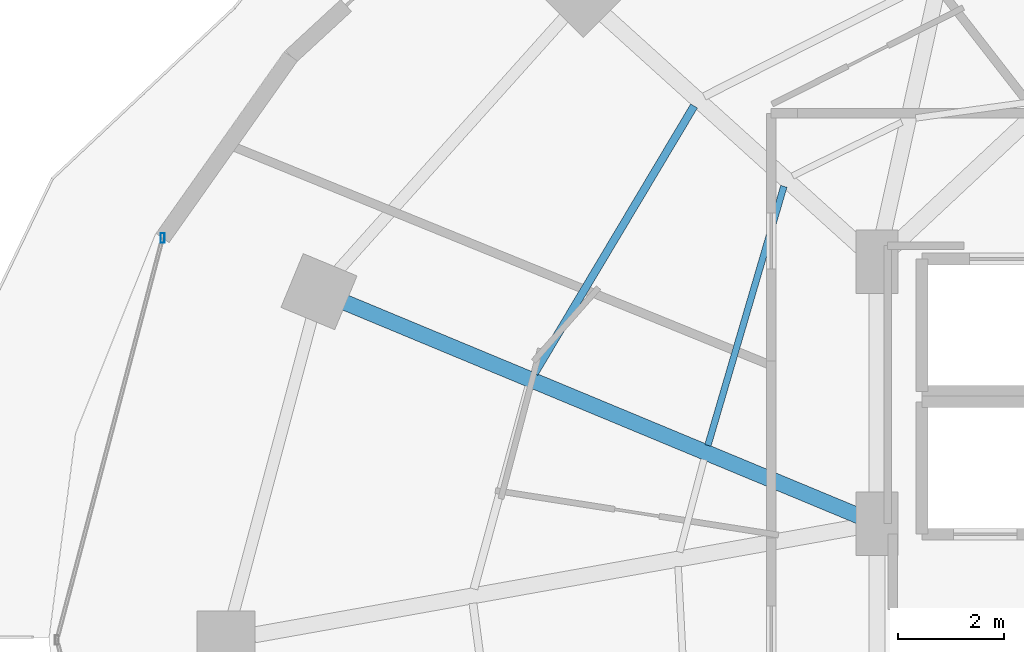
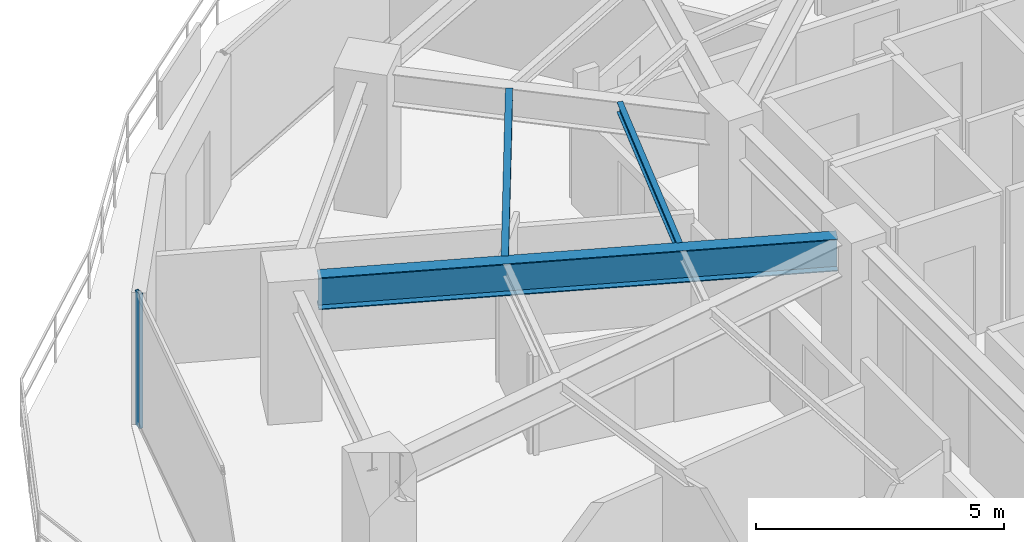
# One storey, part 8 of 30: 3 beams, 1 member, 1 element without a shape of its own.
"""IFC4 building model written with IfcOpenShell, lengths in metres."""

from ifc_helpers import new_model, si_unit, direction, frame, origin, origin_2d, place, context, subcontext, project, spatial, hollow_rectangle, i_section, extrude, material, material_profile, profile_set, type_object, element, aggregate, save


model = new_model("IFC4")

# Units and contexts
model_context = context("Model", 3, precision=1e-05, world=origin(), true_north=direction((0.0, 1.0)))
body_context = subcontext(model_context, "Body", "Model", "MODEL_VIEW")
ifc_project = project(units=[si_unit("LENGTHUNIT", "METRE"), si_unit("AREAUNIT", "SQUARE_METRE"), si_unit("VOLUMEUNIT", "CUBIC_METRE"), si_unit("PLANEANGLEUNIT", "RADIAN"), si_unit("MASSUNIT", "GRAM", prefix="KILO")], contexts=[model_context])

# Site, building, storey
site_placement = place(None, origin())
site = spatial("IfcSite", under=ifc_project, at=site_placement, CompositionType="ELEMENT")
building_placement = place(site_placement, origin())
building = spatial("IfcBuilding", under=site, at=building_placement, Name="Vorneva Point Tower", CompositionType="ELEMENT")
storey_placement = place(building_placement, frame((0.0, 0.0, 89.300048828125)))
storey = spatial("IfcBuildingStorey", under=building, at=storey_placement, Name="L23", CompositionType="ELEMENT", Elevation=89.300048828125)

# Beams
ifc_material_1 = material(Name="Steel S355", Category="steel")
ifc_material_profile_1 = material_profile(ifc_material_1, i_section(OverallWidth=0.300048828125, OverallDepth=0.7880859375, WebThickness=0.014404296875, FlangeThickness=0.02197265625, at=origin_2d()), Name="80Sh1")
ifc_profile_set_1 = profile_set([ifc_material_profile_1], Name="Steel S355")
beam_type_1 = type_object("IfcBeamType", Name="BM-GRD-80Sh1", PredefinedType="USERDEFINED", material=ifc_profile_set_1)
beam_1_placement = place(storey_placement, frame((17.201416015625, 32.375732421875, 2.845947265625), z_axis=(0.923444451211, -0.383732127307, 0.0), x_axis=(0.383732127307, 0.923444451211, 0.0)))
element("IfcBeam", 1, at=beam_1_placement, inside=storey, type_object=beam_type_1, Name="L23 Radial Primary Girder 08", ObjectType="GIRDER", PredefinedType="USERDEFINED", context=body_context, shape_type="SweptSolid", body=[
    extrude(i_section(OverallWidth=0.300048828125, OverallDepth=0.7880859375, WebThickness=0.014404296875, FlangeThickness=0.02197265625, at=origin_2d()), origin(), (0.0, 0.0, 1.0), 10.541748046875),
])
ifc_material_profile_2 = material_profile(ifc_material_1, i_section(OverallWidth=0.1240234375, OverallDepth=0.248046875, WebThickness=0.0048828125, FlangeThickness=0.008056640625, at=origin_2d()), Name="25B1")
ifc_profile_set_2 = profile_set([ifc_material_profile_2], Name="Steel S355")
beam_type_2 = type_object("IfcBeamType", Name="BM-JST-25B1", PredefinedType="JOIST", material=ifc_profile_set_2)
beam_2_placement = place(storey_placement, frame((25.48974609375, 34.572509765625, 3.115966796875), z_axis=(-0.281319059286, -0.959614290683, 0.0), x_axis=(0.959614290683, -0.281319059286, 0.0)))
element("IfcBeam", 2, at=beam_2_placement, inside=storey, type_object=beam_type_2, Name="L23 Secondary Floor Beam 2.07", PredefinedType="JOIST", context=body_context, shape_type="SweptSolid", body=[
    extrude(i_section(OverallWidth=0.1240234375, OverallDepth=0.248046875, WebThickness=0.0048828125, FlangeThickness=0.008056640625, at=origin_2d()), origin(), (0.0, 0.0, 1.0), 5.10205078125),
])
ifc_material_profile_3 = material_profile(ifc_material_1, i_section(OverallWidth=0.14892578125, OverallDepth=0.298095703125, WebThickness=0.005615234375, FlangeThickness=0.008056640625, at=origin_2d()), Name="30B1")
ifc_profile_set_3 = profile_set([ifc_material_profile_3], Name="Steel S355")
beam_type_3 = type_object("IfcBeamType", Name="BM-JST-30B1", PredefinedType="JOIST", material=ifc_profile_set_3)
beam_3_placement = place(storey_placement, frame((23.792724609375, 36.090576171875, 3.091064453125), z_axis=(-0.512554220876, -0.8586548612, 0.0), x_axis=(0.8586548612, -0.512554220876, 0.0)))
element("IfcBeam", 3, at=beam_3_placement, inside=storey, type_object=beam_type_3, Name="L23 Secondary Floor Beam 1.07", PredefinedType="JOIST", context=body_context, shape_type="SweptSolid", body=[
    extrude(i_section(OverallWidth=0.14892578125, OverallDepth=0.298095703125, WebThickness=0.005615234375, FlangeThickness=0.008056640625, at=origin_2d()), origin(), (0.0, 0.0, 1.0), 5.884521484375),
])

# Curtain wall, member
ifc_material_2 = material(Name="Pale anodised aluminium", Category="aluminium")
curtain_wall_type = type_object("IfcCurtainWallType", Name="CW-HTL-SYS", PredefinedType="NOTDEFINED", material=ifc_material_2)
curtain_wall_placement = place(storey_placement, origin())
curtain_wall = element("IfcCurtainWall", 4, at=curtain_wall_placement, inside=storey, type_object=curtain_wall_type, Name="L23 Unitised Curtain Wall CW-L23-R03", PredefinedType="NOTDEFINED")
ifc_material_profile_4 = material_profile(ifc_material_2, hollow_rectangle(XDim=0.074951171875, YDim=0.179931640625, WallThickness=0.00390625, at=origin_2d()), Name="AL-MUL 180x75x4")
ifc_profile_set_4 = profile_set([ifc_material_profile_4], Name="Pale anodised aluminium")
member_type = type_object("IfcMemberType", Name="CW-MUL-180", PredefinedType="MULLION", material=ifc_profile_set_4)
member_placement = place(storey_placement, frame((13.748291015625, 33.59619140625, -0.0400390625), z_axis=(0.0, 0.0, 1.0), x_axis=(1.0, 0.0, 0.0)))
member = element("IfcMember", 5, at=member_placement, type_object=member_type, Name="CW-L23-R03 Mullion 01", PredefinedType="MULLION", context=body_context, shape_type="SweptSolid", body=[
    extrude(hollow_rectangle(XDim=0.074951171875, YDim=0.179931640625, WallThickness=0.00390625, at=origin_2d()), origin(), (0.0, 0.0, 1.0), 3.31005859375),
])
aggregate(curtain_wall, [member])

save(model, "model.ifc")
